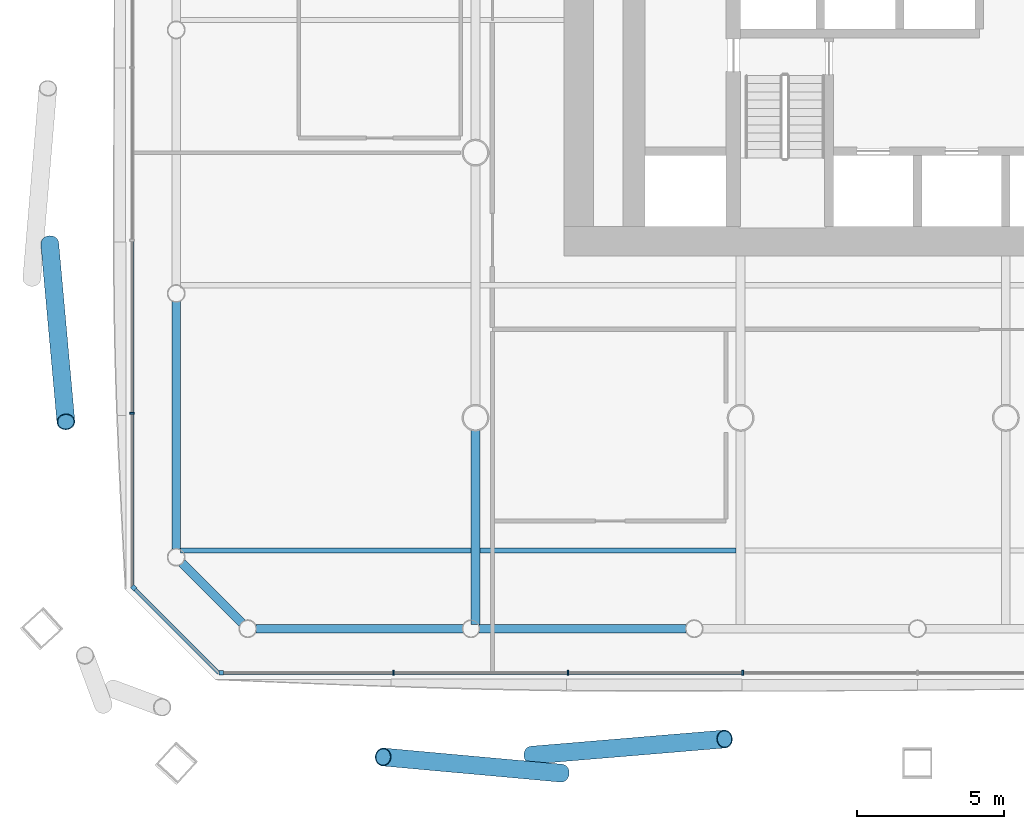
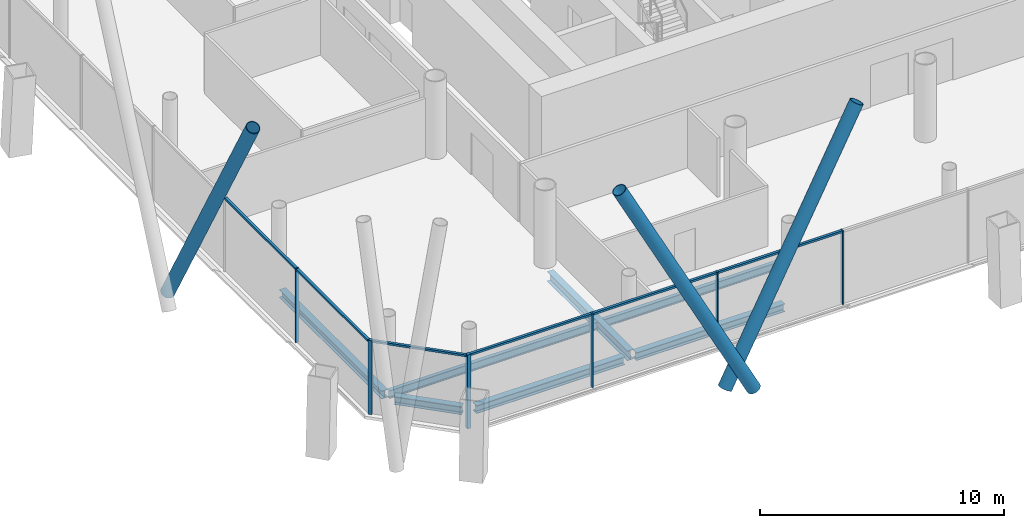
# One storey, part 3 of 25: 15 members, 7 beams, 3 elements without a shape of their own.
"""IFC4 building model written with IfcOpenShell, lengths in metres."""

from ifc_helpers import new_model, si_unit, direction, frame, origin, origin_2d, place, context, subcontext, project, spatial, rectangle, hollow_circle, i_section, extrude, material, material_profile, profile_set, type_object, element, aggregate, save


model = new_model("IFC4")

# Units and contexts
model_context = context("Model", 3, precision=1e-05, world=origin(), true_north=direction((0.0, 1.0)))
body_context = subcontext(model_context, "Body", "Model", "MODEL_VIEW")
ifc_project = project(units=[si_unit("LENGTHUNIT", "METRE"), si_unit("AREAUNIT", "SQUARE_METRE"), si_unit("VOLUMEUNIT", "CUBIC_METRE"), si_unit("PLANEANGLEUNIT", "RADIAN"), si_unit("MASSUNIT", "GRAM", prefix="KILO")], contexts=[model_context])

# Site, building, storey
site_placement = place(None, origin())
site = spatial("IfcSite", under=ifc_project, at=site_placement, CompositionType="ELEMENT")
building_placement = place(site_placement, origin())
building = spatial("IfcBuilding", under=site, at=building_placement, Name="Tskaro Facet Tower", CompositionType="ELEMENT")
storey_placement = place(building_placement, frame((0.0, 0.0, 34.199951171875)))
storey = spatial("IfcBuildingStorey", under=building, at=storey_placement, Name="L07", CompositionType="ELEMENT", Elevation=34.199951171875)

# Members
ifc_material_1 = material(Name="Steel S355J2H", Category="steel")
ifc_material_profile_1 = material_profile(ifc_material_1, hollow_circle(Radius=0.304931640625, WallThickness=0.030029296875, at=origin_2d()), Name="CHS 610x30")
ifc_profile_set_1 = profile_set([ifc_material_profile_1], Name="Steel S355J2H")
member_type_1 = type_object("IfcMemberType", Name="CHS 610x30 brace", PredefinedType="BRACE", material=ifc_profile_set_1)
member_1_placement = place(storey_placement, frame((-16.090576171875, -29.449462890625, 0.0), z_axis=(0.487823893138, 0.040812718848, 0.871987483433), x_axis=(-0.083371543029, 0.996518532599, 0.0)))
element("IfcMember", 1, at=member_1_placement, inside=storey, type_object=member_type_1, Name="CHS 610x30 XB01A/1", PredefinedType="BRACE", context=body_context, shape_type="SweptSolid", body=[
    extrude(hollow_circle(Radius=0.304931640625, WallThickness=0.030029296875, at=origin_2d()), origin(), (0.0, 0.0, 1.0), 13.41748046875),
])
for number, where, z_axis, x_axis, name in (
    (2, (-15.090087890625, -30.0595703125, 0.0), (-0.458620204365, 0.041564771349, 0.887659776001), (-0.090260117017, -0.995918225195, 0.0), "CHS 610x30 XB01B/1"),
    (3, (-32.449462890625, -12.090087890625, 0.0), (0.041546280702, -0.458620557373, 0.887660459249), (0.995921840111, 0.090220221622, 0.0), "CHS 610x30 XB11A/1"),
):
    element("IfcMember", number, at=place(storey_placement, frame(where, z_axis=z_axis, x_axis=x_axis)), inside=storey, type_object=member_type_1, Name=name, PredefinedType="BRACE", context=body_context, shape_type="SweptSolid", body=[
        extrude(hollow_circle(Radius=0.304931640625, WallThickness=0.030029296875, at=origin_2d()), origin(), (0.0, 0.0, 1.0), 13.1806640625),
    ])

# Curtain wall, member
ifc_material_2 = material(Name="Bronze anodised aluminium 6063-T6", Category="aluminium")
curtain_wall_type = type_object("IfcCurtainWallType", Name="Bronze office curtain wall (FW1)", PredefinedType="NOTDEFINED", material=ifc_material_2)
curtain_wall_1_placement = place(storey_placement, origin())
curtain_wall_1 = element("IfcCurtainWall", 4, at=curtain_wall_1_placement, inside=storey, type_object=curtain_wall_type, Name="FW1 south facet L07", PredefinedType="NOTDEFINED")
ifc_material_profile_2 = material_profile(ifc_material_2, rectangle(XDim=0.159912109375, YDim=0.159912109375, at=origin_2d()), Name="Corner post 160x160")
ifc_profile_set_2 = profile_set([ifc_material_profile_2], Name="Bronze anodised aluminium 6063-T6")
member_type_2 = type_object("IfcMemberType", Name="FW1 bronze corner post 160x160", PredefinedType="MULLION", material=ifc_profile_set_2)
member_2_placement = place(storey_placement, frame((-26.633056640625, -26.654052734375, 0.0), z_axis=(0.0, 0.0, 1.0), x_axis=(1.0, 0.0, 0.0)))
member_2 = element("IfcMember", 5, at=member_2_placement, type_object=member_type_2, Name="FW1 south corner post", PredefinedType="MULLION", context=body_context, shape_type="SweptSolid", body=[
    extrude(rectangle(XDim=0.159912109375, YDim=0.159912109375, at=origin_2d()), origin(), (0.0, 0.0, 1.0), 3.699951171875),
])

curtain_wall_2_placement = place(storey_placement, origin())
curtain_wall_2 = element("IfcCurtainWall", 6, at=curtain_wall_2_placement, inside=storey, type_object=curtain_wall_type, Name="FW1 south-west facet L07", PredefinedType="NOTDEFINED")
member_3_placement = place(storey_placement, frame((-29.597412109375, -23.76953125, 0.0), z_axis=(0.0, 0.0, 1.0), x_axis=(0.707106781187, -0.707106781187, 0.0)))
member_3 = element("IfcMember", 7, at=member_3_placement, type_object=member_type_2, Name="FW1 south-west corner post", PredefinedType="MULLION", context=body_context, shape_type="SweptSolid", body=[
    extrude(rectangle(XDim=0.159912109375, YDim=0.159912109375, at=origin_2d()), origin(), (0.0, 0.0, 1.0), 3.699951171875),
])

# Member
ifc_material_profile_3 = material_profile(ifc_material_2, rectangle(XDim=0.06005859375, YDim=0.159912109375, at=origin_2d()), Name="Mullion 60x160")
ifc_profile_set_3 = profile_set([ifc_material_profile_3], Name="Bronze anodised aluminium 6063-T6")
member_type_3 = type_object("IfcMemberType", Name="FW1 bronze mullion 60x160", PredefinedType="MULLION", material=ifc_profile_set_3)
member_4_placement = place(storey_placement, frame((-20.78466796875, -26.654052734375, 0.0), z_axis=(0.0, 0.0, 1.0), x_axis=(1.0, 0.0, 0.0)))
member_4 = element("IfcMember", 8, at=member_4_placement, type_object=member_type_3, Name="FW1 south mullion 1", PredefinedType="MULLION", context=body_context, shape_type="SweptSolid", body=[
    extrude(rectangle(XDim=0.06005859375, YDim=0.159912109375, at=origin_2d()), origin(), (0.0, 0.0, 1.0), 3.699951171875),
])

member_5_placement = place(storey_placement, frame((-14.8564453125, -26.654052734375, 0.0), z_axis=(0.0, 0.0, 1.0), x_axis=(1.0, 0.0, 0.0)))
member_5 = element("IfcMember", 9, at=member_5_placement, type_object=member_type_3, Name="FW1 south mullion 2", PredefinedType="MULLION", context=body_context, shape_type="SweptSolid", body=[
    extrude(rectangle(XDim=0.06005859375, YDim=0.159912109375, at=origin_2d()), origin(), (0.0, 0.0, 1.0), 3.699951171875),
])

member_6_placement = place(storey_placement, frame((-8.92822265625, -26.654052734375, 0.0), z_axis=(0.0, 0.0, 1.0), x_axis=(1.0, 0.0, 0.0)))
member_6 = element("IfcMember", 10, at=member_6_placement, type_object=member_type_3, Name="FW1 south mullion 3", PredefinedType="MULLION", context=body_context, shape_type="SweptSolid", body=[
    extrude(rectangle(XDim=0.06005859375, YDim=0.159912109375, at=origin_2d()), origin(), (0.0, 0.0, 1.0), 3.699951171875),
])

# Curtain wall, member
curtain_wall_3_placement = place(storey_placement, origin())
curtain_wall_3 = element("IfcCurtainWall", 11, at=curtain_wall_3_placement, inside=storey, type_object=curtain_wall_type, Name="FW1 west facet L07", PredefinedType="NOTDEFINED")
member_7_placement = place(storey_placement, frame((-29.654052734375, -17.844482421875, 0.0), z_axis=(0.0, 0.0, 1.0), x_axis=(0.0, -1.0, 0.0)))
member_7 = element("IfcMember", 12, at=member_7_placement, type_object=member_type_3, Name="FW1 west mullion 7", PredefinedType="MULLION", context=body_context, shape_type="SweptSolid", body=[
    extrude(rectangle(XDim=0.06005859375, YDim=0.159912109375, at=origin_2d()), origin(), (0.0, 0.0, 1.0), 3.699951171875),
])

# Member
ifc_material_profile_4 = material_profile(ifc_material_2, rectangle(XDim=0.1201171875, YDim=0.10009765625, at=origin_2d()), Name="Transom 120x100")
ifc_profile_set_4 = profile_set([ifc_material_profile_4], Name="Bronze anodised aluminium 6063-T6")
member_type_4 = type_object("IfcMemberType", Name="FW1 bronze transom 120x100", PredefinedType="USERDEFINED", material=ifc_profile_set_4)
member_8_placement = place(storey_placement, frame((-26.552978515625, -26.654052734375, 3.650146484375), z_axis=(1.0, 0.0, 0.0), x_axis=(0.0, 1.0, 0.0)))
member_8 = element("IfcMember", 13, at=member_8_placement, type_object=member_type_4, Name="FW1 south transom 1.1", ObjectType="TRANSOM", PredefinedType="USERDEFINED", context=body_context, shape_type="SweptSolid", body=[
    extrude(rectangle(XDim=0.1201171875, YDim=0.10009765625, at=origin_2d()), origin(), (0.0, 0.0, 1.0), 5.73828125),
])

member_9_placement = place(storey_placement, frame((-20.754638671875, -26.654052734375, 3.650146484375), z_axis=(1.0, 0.0, 0.0), x_axis=(0.0, 1.0, 0.0)))
member_9 = element("IfcMember", 14, at=member_9_placement, type_object=member_type_4, Name="FW1 south transom 2.1", ObjectType="TRANSOM", PredefinedType="USERDEFINED", context=body_context, shape_type="SweptSolid", body=[
    extrude(rectangle(XDim=0.1201171875, YDim=0.10009765625, at=origin_2d()), origin(), (0.0, 0.0, 1.0), 5.8681640625),
])

member_10_placement = place(storey_placement, frame((-14.826416015625, -26.654052734375, 3.650146484375), z_axis=(1.0, 0.0, 0.0), x_axis=(0.0, 1.0, 0.0)))
member_10 = element("IfcMember", 15, at=member_10_placement, type_object=member_type_4, Name="FW1 south transom 3.1", ObjectType="TRANSOM", PredefinedType="USERDEFINED", context=body_context, shape_type="SweptSolid", body=[
    extrude(rectangle(XDim=0.1201171875, YDim=0.10009765625, at=origin_2d()), origin(), (0.0, 0.0, 1.0), 5.8681640625),
])

aggregate(curtain_wall_1, [member_2, member_4, member_5, member_6, member_8, member_9, member_10])

member_11_placement = place(storey_placement, frame((-29.654052734375, -12.006103515625, 3.650146484375), z_axis=(0.0, -1.0, 0.0), x_axis=(1.0, 0.0, 0.0)))
member_11 = element("IfcMember", 16, at=member_11_placement, type_object=member_type_4, Name="FW1 west transom 7.1", ObjectType="TRANSOM", PredefinedType="USERDEFINED", context=body_context, shape_type="SweptSolid", body=[
    extrude(rectangle(XDim=0.1201171875, YDim=0.10009765625, at=origin_2d()), origin(), (0.0, 0.0, 1.0), 5.808349609375),
])

member_12_placement = place(storey_placement, frame((-29.654052734375, -17.87451171875, 3.650146484375), z_axis=(0.0, -1.0, 0.0), x_axis=(1.0, 0.0, 0.0)))
member_12 = element("IfcMember", 17, at=member_12_placement, type_object=member_type_4, Name="FW1 west transom 8.1", ObjectType="TRANSOM", PredefinedType="USERDEFINED", context=body_context, shape_type="SweptSolid", body=[
    extrude(rectangle(XDim=0.1201171875, YDim=0.10009765625, at=origin_2d()), origin(), (0.0, 0.0, 1.0), 5.83837890625),
])

aggregate(curtain_wall_3, [member_7, member_11, member_12])

member_13_placement = place(storey_placement, frame((-29.540771484375, -23.826171875, 3.650146484375), z_axis=(0.707106781187, -0.707106781187, 0.0), x_axis=(0.707106781187, 0.707106781187, 0.0)))
member_13 = element("IfcMember", 18, at=member_13_placement, type_object=member_type_4, Name="FW1 south-west transom 1.1", ObjectType="TRANSOM", PredefinedType="USERDEFINED", context=body_context, shape_type="SweptSolid", body=[
    extrude(rectangle(XDim=0.1201171875, YDim=0.10009765625, at=origin_2d()), origin(), (0.0, 0.0, 1.0), 3.999267578125),
])

aggregate(curtain_wall_2, [member_3, member_13])

# Beams
ifc_material_3 = material(Name="Steel S355J2", Category="steel")
ifc_material_profile_5 = material_profile(ifc_material_3, i_section(OverallWidth=0.300048828125, OverallDepth=0.39990234375, WebThickness=0.013427734375, FlangeThickness=0.02392578125, FilletRadius=0.027099609375, at=origin_2d()), Name="HE 400 B")
ifc_profile_set_5 = profile_set([ifc_material_profile_5], Name="Steel S355J2")
beam_type_1 = type_object("IfcBeamType", Name="HE 400 B ring beam", PredefinedType="BEAM", material=ifc_profile_set_5)
beam_1_placement = place(storey_placement, frame((-25.4541015625, -25.156982421875, -0.33984375), z_axis=(1.0, 0.0, 0.0), x_axis=(0.0, 1.0, 0.0)))
element("IfcBeam", 19, at=beam_1_placement, inside=storey, type_object=beam_type_1, Name="HE 400 B EB1-1", PredefinedType="BEAM", context=body_context, shape_type="SweptSolid", body=[
    extrude(i_section(OverallWidth=0.300048828125, OverallDepth=0.39990234375, WebThickness=0.013427734375, FlangeThickness=0.02392578125, FilletRadius=0.027099609375, at=origin_2d()), origin(), (0.0, 0.0, 1.0), 7.026123046875),
])
beam_2_placement = place(storey_placement, frame((-17.8779296875, -25.156982421875, -0.33984375), z_axis=(1.0, 0.0, 0.0), x_axis=(0.0, 1.0, 0.0)))
element("IfcBeam", 20, at=beam_2_placement, inside=storey, type_object=beam_type_1, Name="HE 400 B EB2-1", PredefinedType="BEAM", context=body_context, shape_type="SweptSolid", body=[
    extrude(i_section(OverallWidth=0.300048828125, OverallDepth=0.39990234375, WebThickness=0.013427734375, FlangeThickness=0.02392578125, FilletRadius=0.027099609375, at=origin_2d()), origin(), (0.0, 0.0, 1.0), 7.02685546875),
])
beam_3_placement = place(storey_placement, frame((-28.156982421875, -14.055908203125, -0.33984375), z_axis=(0.0, -1.0, 0.0), x_axis=(1.0, 0.0, 0.0)))
element("IfcBeam", 21, at=beam_3_placement, inside=storey, type_object=beam_type_1, Name="HE 400 B EB24-1", PredefinedType="BEAM", context=body_context, shape_type="SweptSolid", body=[
    extrude(i_section(OverallWidth=0.300048828125, OverallDepth=0.39990234375, WebThickness=0.013427734375, FlangeThickness=0.02392578125, FilletRadius=0.027099609375, at=origin_2d()), origin(), (0.0, 0.0, 1.0), 8.398193359375),
])
beam_4_placement = place(storey_placement, frame((-27.962646484375, -22.92333984375, -0.33984375), z_axis=(0.707106781187, -0.707106781187, 0.0), x_axis=(0.707106781187, 0.707106781187, 0.0)))
element("IfcBeam", 22, at=beam_4_placement, inside=storey, type_object=beam_type_1, Name="HE 400 B EB25-1", PredefinedType="BEAM", context=body_context, shape_type="SweptSolid", body=[
    extrude(i_section(OverallWidth=0.300048828125, OverallDepth=0.39990234375, WebThickness=0.013427734375, FlangeThickness=0.02392578125, FilletRadius=0.027099609375, at=origin_2d()), origin(), (0.0, 0.0, 1.0), 2.884033203125),
])
ifc_material_profile_6 = material_profile(ifc_material_3, i_section(OverallWidth=0.300048828125, OverallDepth=0.489990234375, WebThickness=0.011962890625, FlangeThickness=0.02294921875, FilletRadius=0.027099609375, at=origin_2d()), Name="HE 500 A")
ifc_profile_set_6 = profile_set([ifc_material_profile_6], Name="Steel S355J2")
beam_type_2 = type_object("IfcBeamType", Name="HE 500 A girder", PredefinedType="BEAM", material=ifc_profile_set_6)
beam_5_placement = place(storey_placement, frame((-18.0, -25.007080078125, -0.385009765625), z_axis=(0.0, 1.0, 0.0), x_axis=(-1.0, 0.0, 0.0)))
element("IfcBeam", 23, at=beam_5_placement, inside=storey, type_object=beam_type_2, Name="HE 500 A GB2-1-1", PredefinedType="BEAM", context=body_context, shape_type="SweptSolid", body=[
    extrude(i_section(OverallWidth=0.300048828125, OverallDepth=0.489990234375, WebThickness=0.011962890625, FlangeThickness=0.02294921875, FilletRadius=0.027099609375, at=origin_2d()), origin(), (0.0, 0.0, 1.0), 6.579833984375),
])
ifc_material_profile_7 = material_profile(ifc_material_3, i_section(OverallWidth=0.179931640625, OverallDepth=0.39990234375, WebThickness=0.008544921875, FlangeThickness=0.013427734375, FilletRadius=0.02099609375, at=origin_2d()), Name="IPE 400")
ifc_profile_set_7 = profile_set([ifc_material_profile_7], Name="Steel S355J2")
beam_type_3 = type_object("IfcBeamType", Name="IPE 400 secondary beam", PredefinedType="BEAM", material=ifc_profile_set_7)
beam_6_placement = place(storey_placement, frame((-28.007080078125, -22.5, -0.33984375), z_axis=(1.0, 0.0, 0.0), x_axis=(0.0, 1.0, 0.0)))
element("IfcBeam", 24, at=beam_6_placement, inside=storey, type_object=beam_type_3, Name="IPE 400 SB1a-1-1", PredefinedType="BEAM", context=body_context, shape_type="SweptSolid", body=[
    extrude(i_section(OverallWidth=0.179931640625, OverallDepth=0.39990234375, WebThickness=0.008544921875, FlangeThickness=0.013427734375, FilletRadius=0.02099609375, at=origin_2d()), origin(), (0.0, 0.0, 1.0), 9.857177734375),
])
beam_7_placement = place(storey_placement, frame((-17.85009765625, -22.5, -0.33984375), z_axis=(1.0, 0.0, 0.0), x_axis=(0.0, 1.0, 0.0)))
element("IfcBeam", 25, at=beam_7_placement, inside=storey, type_object=beam_type_3, Name="IPE 400 SB1a-2-1", PredefinedType="BEAM", context=body_context, shape_type="SweptSolid", body=[
    extrude(i_section(OverallWidth=0.179931640625, OverallDepth=0.39990234375, WebThickness=0.008544921875, FlangeThickness=0.013427734375, FilletRadius=0.02099609375, at=origin_2d()), origin(), (0.0, 0.0, 1.0), 8.7001953125),
])

save(model, "model.ifc")
